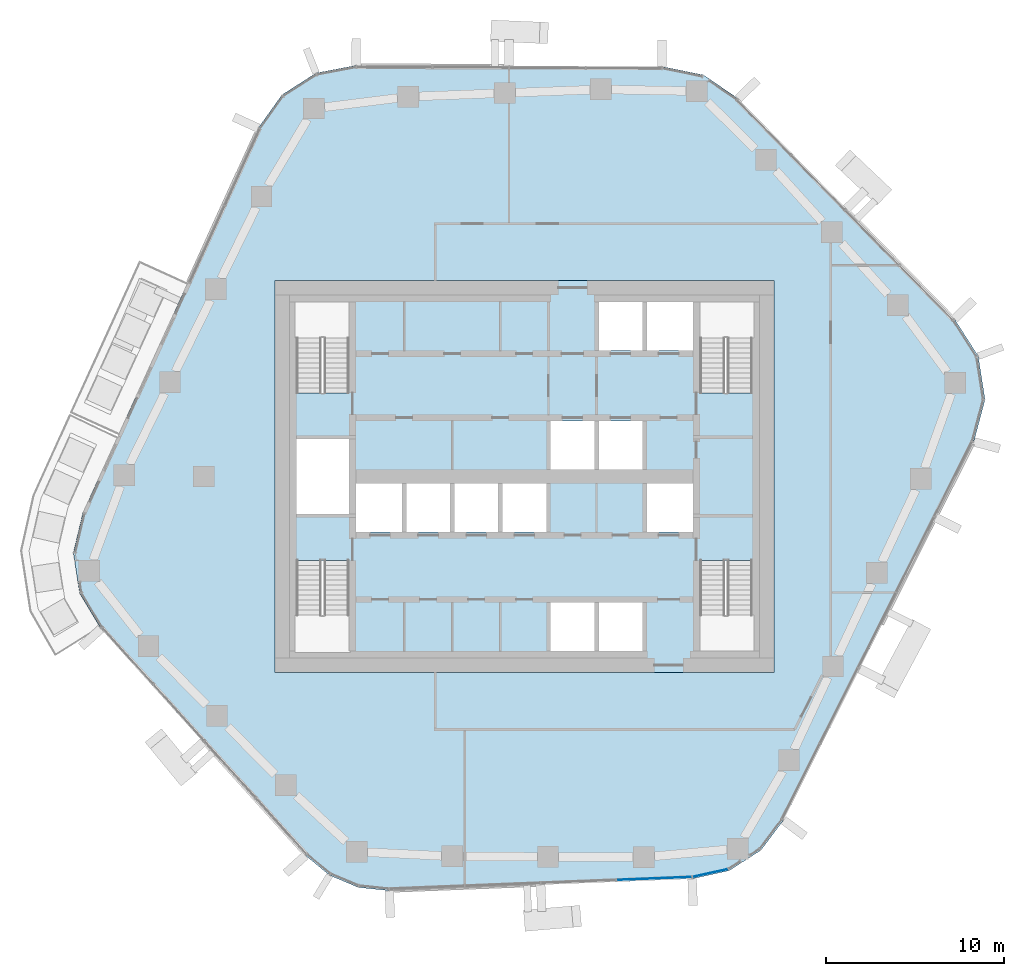
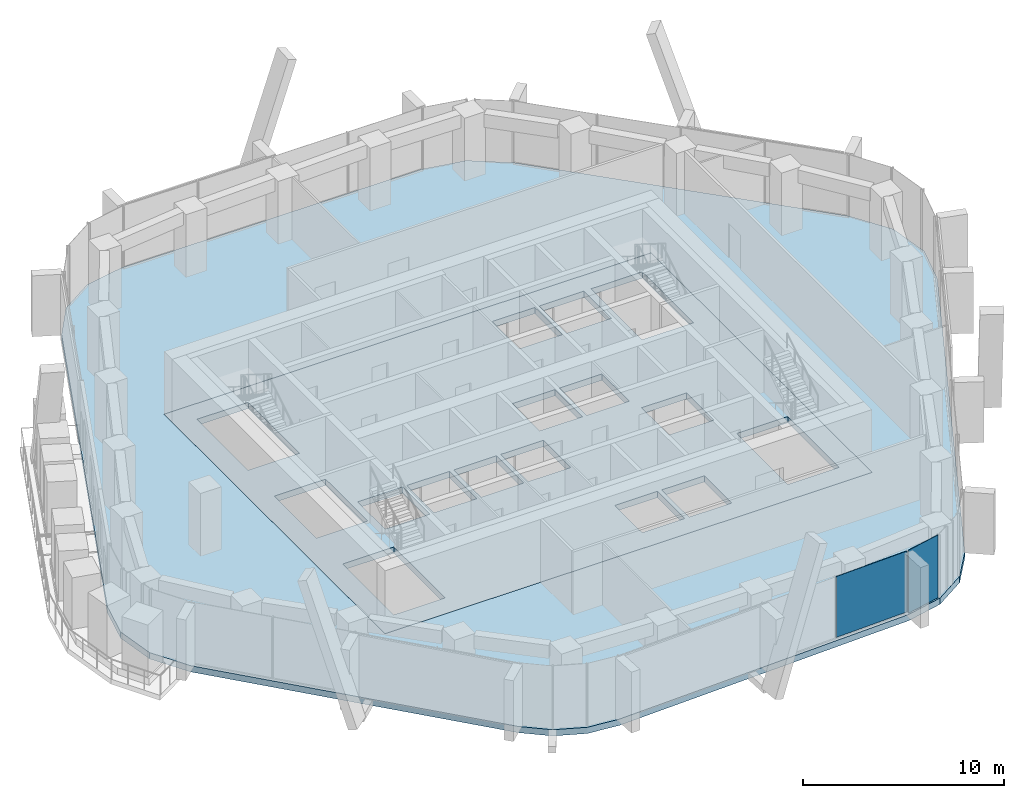
# One storey, part 9 of 19: 2 plates, 2 slabs, 2 elements without a shape of their own.
"""IFC4 building model written with IfcOpenShell, lengths in metres."""

import ifcopenshell
import ifcopenshell.guid

model = None  # the IFC model being written
_history = None  # IfcOwnerHistory: only IFC2X3 demands one
_inside = {}  # id of a spatial element -> (the spatial element, [elements in it])
_under = {}  # id of a project, library or spatial element -> (it, [spatial elements below it])
_declared = {}  # id of a project -> (the project, [libraries it declares])
_typed = {}  # id of a type object -> (the type object, [elements of that type])
_made_of = {}  # id of a material, layer set ... -> (it, [elements and type objects made of it])


def new_model(schema):
    """Start an empty IFC model of exactly this schema.

    Asked for "IFC4X3", IfcOpenShell would pick the latest addendum, in which some entities
    have other attributes; the version numbers below select the first issue.
    IFC2X3 requires an IfcOwnerHistory on every rooted entity: one is made here for all.
    """
    global model, _history
    if schema == "IFC4X3":
        model = ifcopenshell.file(schema_version=(4, 3, 0, 0))
    else:
        model = ifcopenshell.file(schema=schema)
    _inside.clear()
    _under.clear()
    _declared.clear()
    _typed.clear()
    _made_of.clear()
    _history = None
    if model.schema == "IFC2X3":
        org = make("IfcOrganization", Name="unknown")
        user = make(
            "IfcPersonAndOrganization",
            ThePerson=make("IfcPerson", FamilyName="unknown"),
            TheOrganization=org,
        )
        app = make(
            "IfcApplication",
            ApplicationDeveloper=org,
            Version="unknown",
            ApplicationFullName="unknown",
            ApplicationIdentifier="unknown",
        )
        _history = make(
            "IfcOwnerHistory",
            OwningUser=user,
            OwningApplication=app,
            ChangeAction="ADDED",
            CreationDate=0,
        )
    return model


def make(cls, **values):
    """One entity of the class cls with the attributes given. An attribute that is None is left unset."""
    return model.create_entity(
        cls, **{name: value for name, value in values.items() if value is not None}
    )


def rooted(cls, **values):
    """An entity with a GlobalId (a new one), such as an element, a storey or a relation."""
    return make(cls, GlobalId=ifcopenshell.guid.new(), OwnerHistory=_history, **values)


def si_unit(unit_type, name, prefix=None):
    """IfcSIUnit, for example si_unit("LENGTHUNIT", "METRE", prefix="MILLI")."""
    return make("IfcSIUnit", UnitType=unit_type, Prefix=prefix, Name=name)


def assignment(units):
    """IfcUnitAssignment: the units of a project."""
    return None if units is None else make("IfcUnitAssignment", Units=units)


def point(xyz):
    """IfcCartesianPoint."""
    return None if xyz is None else make("IfcCartesianPoint", Coordinates=xyz)


def direction(xyz):
    """IfcDirection."""
    return None if xyz is None else make("IfcDirection", DirectionRatios=xyz)


def frame(location, z_axis=None, x_axis=None):
    """IfcAxis2Placement3D, a coordinate frame: its origin and axes. An axis left out is left unset."""
    return make(
        "IfcAxis2Placement3D",
        Location=point(location),
        Axis=direction(z_axis),
        RefDirection=direction(x_axis),
    )


def frame_2d(location, x_axis=None):
    """IfcAxis2Placement2D, a coordinate frame in the plane: its origin and x axis."""
    return make(
        "IfcAxis2Placement2D", Location=point(location), RefDirection=direction(x_axis)
    )


def origin():
    """The frame at (0, 0, 0) with its axes left unset."""
    return frame((0.0, 0.0, 0.0))


def origin_2d():
    """The frame at (0, 0) in the plane with its x axis left unset."""
    return frame_2d((0.0, 0.0))


def place(relative_to, where):
    """IfcLocalPlacement: puts the frame where relative to a parent placement (None: the world)."""
    return make(
        "IfcLocalPlacement", PlacementRelTo=relative_to, RelativePlacement=where
    )


def context(
    kind, dimensions, precision=None, world=None, true_north=None, identifier=None
):
    """IfcGeometricRepresentationContext, for example the 3D "Model" context."""
    return make(
        "IfcGeometricRepresentationContext",
        ContextIdentifier=identifier,
        ContextType=kind,
        CoordinateSpaceDimension=dimensions,
        Precision=precision,
        WorldCoordinateSystem=world,
        TrueNorth=true_north,
    )


def subcontext(parent, identifier, kind, view, scale=None):
    """IfcGeometricRepresentationSubContext, for example "Body" below "Model"."""
    return make(
        "IfcGeometricRepresentationSubContext",
        ContextIdentifier=identifier,
        ContextType=kind,
        ParentContext=parent,
        TargetScale=scale,
        TargetView=view,
    )


def project(units=None, contexts=None):
    """IfcProject with its units and contexts."""
    return rooted(
        "IfcProject",
        Name="project",
        RepresentationContexts=contexts,
        UnitsInContext=assignment(units),
    )


def spatial(cls, under=None, at=None, **own):
    """A site, building, storey or space (cls), placed at a placement, below another one or the project."""
    s = rooted(cls, ObjectPlacement=at, **own)
    if under is not None:
        _under.setdefault(under.id(), (under, []))[1].append(s)
    return s


def polyline(points):
    """IfcPolyline through the points."""
    return make("IfcPolyline", Points=[point(p) for p in points])


def profile(cls, at=None, kind="AREA", **sizes):
    """A parametric profile (cls). Its sizes go by their IFC names, for example OverallWidth=200.0."""
    return make(cls, ProfileType=kind, Position=at, **sizes)


def rectangle(**sizes):
    """IfcRectangleProfileDef."""
    return profile("IfcRectangleProfileDef", **sizes)


def outline(outer, holes=None, kind="AREA"):
    """IfcArbitraryClosedProfileDef: a profile drawn as a closed curve; with holes, ...WithVoids."""
    if holes is None:
        return make("IfcArbitraryClosedProfileDef", ProfileType=kind, OuterCurve=outer)
    return make(
        "IfcArbitraryProfileDefWithVoids",
        ProfileType=kind,
        OuterCurve=outer,
        InnerCurves=holes,
    )


def extrude(swept, where, along, depth):
    """IfcExtrudedAreaSolid: the profile swept, set in the frame where, extruded along a direction by depth."""
    return make(
        "IfcExtrudedAreaSolid",
        SweptArea=swept,
        Position=where,
        ExtrudedDirection=direction(along),
        Depth=depth,
    )


def shape(context_of_items, identifier, shape_type, items):
    """IfcShapeRepresentation: the items that make up one representation, for example the "Body"."""
    return make(
        "IfcShapeRepresentation",
        ContextOfItems=context_of_items,
        RepresentationIdentifier=identifier,
        RepresentationType=shape_type,
        Items=items,
    )


def material(Name=None, Category=None):
    """IfcMaterial."""
    return make("IfcMaterial", Name=Name, Category=Category)


def layer(
    of_material, thickness, ventilated=None, Name=None, Category=None, Priority=None
):
    """IfcMaterialLayer: one layer of a wall or slab, of a material (None: an air gap)."""
    return make(
        "IfcMaterialLayer",
        Material=of_material,
        LayerThickness=thickness,
        IsVentilated=ventilated,
        Name=Name,
        Category=Category,
        Priority=Priority,
    )


def layer_set(layers, Name=None):
    """IfcMaterialLayerSet."""
    return make("IfcMaterialLayerSet", MaterialLayers=layers, LayerSetName=Name)


def made_of(thing, what):
    """Note that an element or type object is made of a material, layer set ...; save() writes the relation."""
    if what is not None:
        _made_of.setdefault(what.id(), (what, []))[1].append(thing)
    return thing


def type_object(cls, material=None, **own):
    """A type object (cls), such as IfcWallType, which elements share."""
    return made_of(rooted(cls, **own), material)


def element(
    cls,
    number,
    at=None,
    inside=None,
    cuts=None,
    type_object=None,
    material=None,
    context=None,
    identifier="Body",
    shape_type=None,
    held_by="IfcProductDefinitionShape",
    body=None,
    shapes=None,
    **own,
):
    """One element of the class cls, such as IfcWall. Its Tag is "e" and its number.

    at: its placement. inside: the storey or other place that contains it. cuts: it is an
    opening in that element (IfcRelVoidsElement). A single representation is given by context,
    identifier, shape_type and body (its items); several are given by shapes. held_by: the class
    of the entity that holds the representations. save() writes the other relations.
    """
    e = rooted(cls, Tag="e%d" % number, ObjectPlacement=at, **own)
    if body is not None:
        shapes = [shape(context, identifier, shape_type, body)]
    if shapes is not None:
        e.Representation = make(held_by, Representations=shapes)
    if inside is not None:
        _inside.setdefault(inside.id(), (inside, []))[1].append(e)
    if cuts is not None:
        rooted(
            "IfcRelVoidsElement", RelatingBuildingElement=cuts, RelatedOpeningElement=e
        )
    if type_object is not None:
        _typed.setdefault(type_object.id(), (type_object, []))[1].append(e)
    return made_of(e, material)


def aggregate(whole, parts):
    """IfcRelAggregates: a whole, such as a stair, and the parts it consists of."""
    return rooted("IfcRelAggregates", RelatingObject=whole, RelatedObjects=parts)


def save(model, path):
    """Write the relations noted so far, then the file.

    IfcRelAggregates (storeys below a building ...), IfcRelContainedInSpatialStructure (elements
    in a storey), IfcRelDefinesByType, IfcRelAssociatesMaterial and IfcRelDeclares: one each for
    every whole, place, type object, material and project.
    """
    for whole, parts in _under.values():
        aggregate(whole, parts)
    for where, things in _inside.values():
        rooted(
            "IfcRelContainedInSpatialStructure",
            RelatedElements=things,
            RelatingStructure=where,
        )
    for kind, things in _typed.values():
        rooted("IfcRelDefinesByType", RelatedObjects=things, RelatingType=kind)
    for what, things in _made_of.values():
        rooted("IfcRelAssociatesMaterial", RelatedObjects=things, RelatingMaterial=what)
    for by, libraries in _declared.values():
        rooted("IfcRelDeclares", RelatingContext=by, RelatedDefinitions=libraries)
    model.write(path)


model = new_model("IFC4")

# Units and contexts
model_context = context("Model", 3, precision=1e-05, world=origin(), true_north=direction((0.0, 1.0)))
body_context = subcontext(model_context, "Body", "Model", "MODEL_VIEW")
ifc_project = project(units=[si_unit("LENGTHUNIT", "METRE"), si_unit("AREAUNIT", "SQUARE_METRE"), si_unit("VOLUMEUNIT", "CUBIC_METRE"), si_unit("PLANEANGLEUNIT", "RADIAN"), si_unit("MASSUNIT", "GRAM", prefix="KILO")], contexts=[model_context])

# Site, building, storey
site_placement = place(None, origin())
site = spatial("IfcSite", under=ifc_project, at=site_placement, CompositionType="ELEMENT")
building_placement = place(site_placement, origin())
building = spatial("IfcBuilding", under=site, at=building_placement, Name="Dongbaek Canopy Tower", CompositionType="ELEMENT")
storey_placement = place(building_placement, frame((0.0, 0.0, 207.199951171875)))
storey = spatial("IfcBuildingStorey", under=building, at=storey_placement, Name="L43", CompositionType="ELEMENT", Elevation=207.199951171875)

# Curtain wall, plate
ifc_material_1 = material(Name="Aluminium 6063-T6 pale anodised", Category="aluminium")
ifc_layer_1 = layer(ifc_material_1, 0.199951171875)
ifc_layer_set_1 = layer_set([ifc_layer_1], Name="CW-1 unitised tower curtain wall")
curtain_wall_type = type_object("IfcCurtainWallType", Name="CW-1 unitised tower curtain wall", PredefinedType="NOTDEFINED", material=ifc_layer_set_1)
curtain_wall_1_placement = place(storey_placement, origin())
curtain_wall_1 = element("IfcCurtainWall", 1, at=curtain_wall_1_placement, inside=storey, type_object=curtain_wall_type, Name="CW-1 curtain wall F4.1", PredefinedType="NOTDEFINED")
ifc_material_2 = material(Name="Clear laminated glass", Category="glass")
ifc_layer_2 = layer(ifc_material_2, 0.028076171875)
ifc_layer_set_2 = layer_set([ifc_layer_2], Name="CW-1 glazed panel 28")
plate_type = type_object("IfcPlateType", Name="CW-1 glazed panel 28", PredefinedType="CURTAIN_PANEL", material=ifc_layer_set_2)
plate_1_placement = place(storey_placement, frame((7.287841796875, -22.56591796875, 0.1201171875), z_axis=(0.0, 0.0, 1.0), x_axis=(0.999228406114, 0.039275850271, 0.0)))
plate_1 = element("IfcPlate", 2, at=plate_1_placement, type_object=plate_type, Name="CW-1 panel F4.1.4.1", PredefinedType="CURTAIN_PANEL", context=body_context, shape_type="SweptSolid", body=[
    extrude(rectangle(XDim=4.164794921875, YDim=0.028076171875, at=origin_2d()), origin(), (0.0, 0.0, 1.0), 3.699951171875),
])
aggregate(curtain_wall_1, [plate_1])

curtain_wall_2_placement = place(storey_placement, origin())
curtain_wall_2 = element("IfcCurtainWall", 3, at=curtain_wall_2_placement, inside=storey, type_object=curtain_wall_type, Name="CW-1 curtain wall K5.1a", PredefinedType="NOTDEFINED")
plate_2_placement = place(storey_placement, frame((10.432373046875, -22.25732421875, 0.0), z_axis=(0.0, 0.0, 1.0), x_axis=(0.976582833998, 0.215141740117, 0.0)))
plate_2 = element("IfcPlate", 4, at=plate_2_placement, type_object=plate_type, Name="CW-1 panel K5.1a.1.1", PredefinedType="CURTAIN_PANEL", context=body_context, shape_type="SweptSolid", body=[
    extrude(rectangle(XDim=2.008544921875, YDim=0.028076171875, at=origin_2d()), origin(), (0.0, 0.0, 1.0), 3.820068359375),
])
aggregate(curtain_wall_2, [plate_2])

# Slabs
ifc_material_3 = material(Name="Concrete C40/50", Category="concrete")
ifc_layer_3 = layer(ifc_material_3, 0.3798828125)
ifc_layer_set_3 = layer_set([ifc_layer_3], Name="Core floor slab 380 Concrete C40/50")
slab_type_1 = type_object("IfcSlabType", Name="Core floor slab 380 Concrete C40/50", PredefinedType="FLOOR", material=ifc_layer_set_3)
slab_1_placement = place(storey_placement, frame((0.0, 0.0, -0.3798828125)))
element("IfcSlab", 5, at=slab_1_placement, inside=storey, type_object=slab_type_1, Name="Core floor slab L43", PredefinedType="FLOOR", context=body_context, shape_type="SweptSolid", body=[
    extrude(outline(polyline([(14.0, -11.0), (14.0, 11.0), (-14.0, 11.0), (-14.0, -11.0), (14.0, -11.0)]), holes=[polyline([(-12.800048828125, 2.10009765625), (-9.85009765625, 2.10009765625), (-9.85009765625, -2.10009765625), (-12.800048828125, -2.10009765625), (-12.800048828125, 2.10009765625)]), polyline([(6.625, 9.800048828125), (6.625, 7.074951171875), (4.175048828125, 7.074951171875), (4.175048828125, 9.800048828125), (6.625, 9.800048828125)]), polyline([(9.449951171875, 7.074951171875), (6.875, 7.074951171875), (6.875, 9.800048828125), (9.449951171875, 9.800048828125), (9.449951171875, 7.074951171875)]), polyline([(1.47509765625, 0.39990234375), (1.47509765625, 3.125), (3.925048828125, 3.125), (3.925048828125, 0.39990234375), (1.47509765625, 0.39990234375)]), polyline([(4.175048828125, 0.39990234375), (4.175048828125, 3.125), (6.625, 3.125), (6.625, 0.39990234375), (4.175048828125, 0.39990234375)]), polyline([(-9.449951171875, -0.39990234375), (-6.875, -0.39990234375), (-6.875, -3.125), (-9.449951171875, -3.125), (-9.449951171875, -0.39990234375)]), polyline([(-6.625, -3.125), (-6.625, -0.39990234375), (-4.175048828125, -0.39990234375), (-4.175048828125, -3.125), (-6.625, -3.125)]), polyline([(-3.925048828125, -3.125), (-3.925048828125, -0.39990234375), (-1.47509765625, -0.39990234375), (-1.47509765625, -3.125), (-3.925048828125, -3.125)]), polyline([(-1.22509765625, -3.125), (-1.22509765625, -0.39990234375), (1.22509765625, -0.39990234375), (1.22509765625, -3.125), (-1.22509765625, -3.125)]), polyline([(9.449951171875, -3.125), (6.875, -3.125), (6.875, -0.39990234375), (9.449951171875, -0.39990234375), (9.449951171875, -3.125)]), polyline([(1.47509765625, -9.800048828125), (1.47509765625, -7.074951171875), (3.925048828125, -7.074951171875), (3.925048828125, -9.800048828125), (1.47509765625, -9.800048828125)]), polyline([(4.175048828125, -9.800048828125), (4.175048828125, -7.074951171875), (6.625, -7.074951171875), (6.625, -9.800048828125), (4.175048828125, -9.800048828125)]), polyline([(12.800048828125, 4.70068359375), (12.800048828125, 9.800048828125), (9.85009765625, 9.800048828125), (9.85009765625, 4.70068359375), (12.800048828125, 4.70068359375)]), polyline([(-9.85009765625, 4.70068359375), (-9.85009765625, 9.800048828125), (-12.800048828125, 9.800048828125), (-12.800048828125, 4.70068359375), (-9.85009765625, 4.70068359375)]), polyline([(9.85009765625, -4.70068359375), (9.85009765625, -9.800048828125), (12.800048828125, -9.800048828125), (12.800048828125, -4.70068359375), (9.85009765625, -4.70068359375)]), polyline([(-12.800048828125, -4.70068359375), (-12.800048828125, -9.800048828125), (-9.85009765625, -9.800048828125), (-9.85009765625, -4.70068359375), (-12.800048828125, -4.70068359375)])]), origin(), (0.0, 0.0, 1.0), 0.3798828125),
])
ifc_material_4 = material(Name="Concrete C40", Category="concrete")
ifc_layer_4 = layer(ifc_material_4, 0.3798828125)
ifc_layer_set_4 = layer_set([ifc_layer_4], Name="RC FLAT PLATE 380 Concrete C40")
slab_type_2 = type_object("IfcSlabType", Name="RC FLAT PLATE 380 Concrete C40", PredefinedType="FLOOR", material=ifc_layer_set_4)
slab_2_placement = place(storey_placement, frame((0.0, 0.0, -0.3798828125)))
element("IfcSlab", 6, at=slab_2_placement, inside=storey, type_object=slab_type_2, Name="SLAB:L43", PredefinedType="FLOOR", context=body_context, shape_type="SweptSolid", body=[
    extrude(outline(polyline([(14.54736328125, -19.28369140625), (13.275146484375, -20.978759765625), (11.4931640625, -22.1259765625), (9.42333984375, -22.58203125), (-7.593994140625, -23.250732421875), (-9.329345703125, -23.06494140625), (-10.93798828125, -22.3876953125), (-12.283447265625, -21.27587890625), (-23.780029296875, -8.5400390625), (-24.96875, -6.559814453125), (-25.3212890625, -4.277587890625), (-24.785888671875, -2.031005859375), (-14.9404296875, 19.568603515625), (-13.6181640625, 21.425537109375), (-11.698486328125, 22.6552734375), (-9.458984375, 23.080078125), (7.738037109375, 23.016845703125), (10.04833984375, 22.544921875), (11.99853515625, 21.218994140625), (24.148681640625, 8.836181640625), (25.477294921875, 6.75830078125), (25.85791015625, 4.3212890625), (25.2255859375, 1.93701171875), (14.54736328125, -19.28369140625)]), holes=[polyline([(14.0, 11.0), (-14.0, 11.0), (-14.0, -11.0), (14.0, -11.0), (14.0, 11.0)])]), origin(), (0.0, 0.0, 1.0), 0.3798828125),
])

save(model, "model.ifc")
